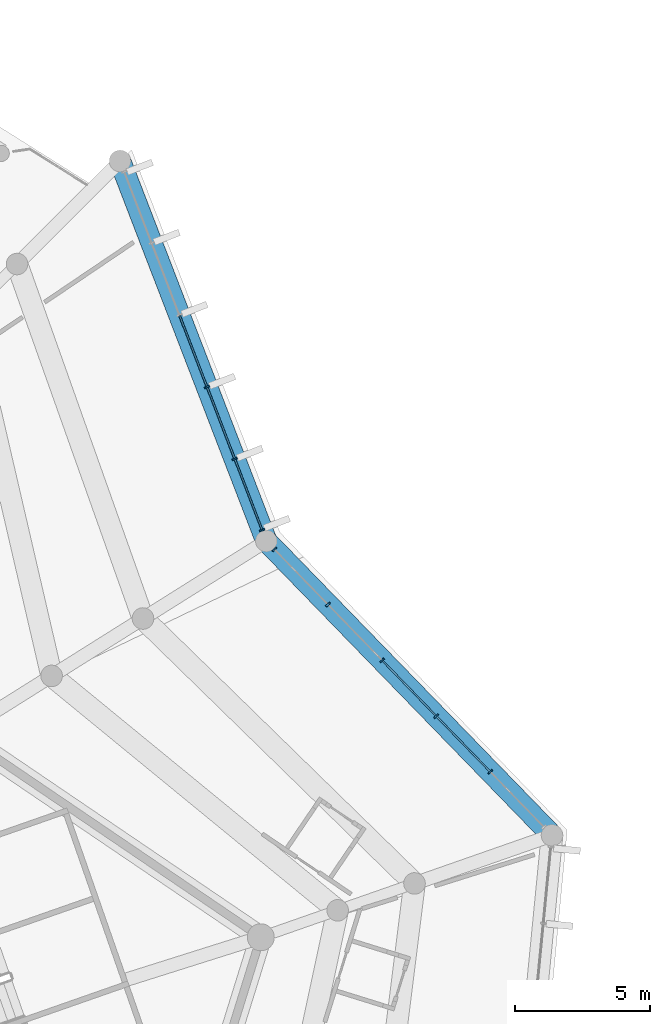
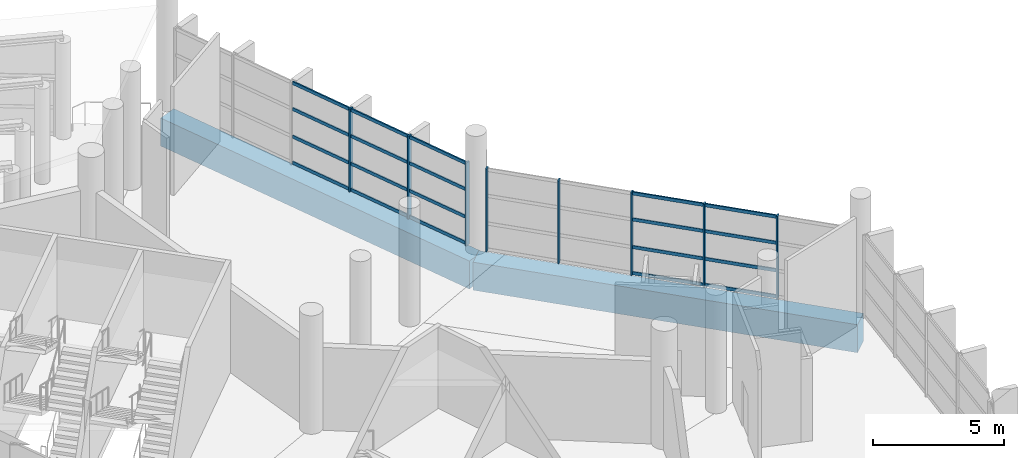
# One storey, part 111 of 271: 28 members, 2 beams, 2 elements without a shape of their own.
"""IFC4 building model written with IfcOpenShell, lengths in metres."""

from ifc_helpers import new_model, si_unit, direction, frame, origin, origin_2d, place, context, subcontext, project, spatial, rectangle, extrude, material, layer, layer_set, material_profile, profile_set, type_object, element, aggregate, save


model = new_model("IFC4")

# Units and contexts
model_context = context("Model", 3, precision=1e-05, world=origin(), true_north=direction((0.0, 1.0)))
body_context = subcontext(model_context, "Body", "Model", "MODEL_VIEW")
ifc_project = project(units=[si_unit("LENGTHUNIT", "METRE"), si_unit("AREAUNIT", "SQUARE_METRE"), si_unit("VOLUMEUNIT", "CUBIC_METRE"), si_unit("PLANEANGLEUNIT", "RADIAN"), si_unit("MASSUNIT", "GRAM", prefix="KILO")], contexts=[model_context])

# Site, building, storey
site_placement = place(None, origin())
site = spatial("IfcSite", under=ifc_project, at=site_placement, CompositionType="ELEMENT")
building_placement = place(site_placement, origin())
building = spatial("IfcBuilding", under=site, at=building_placement, Name="Meseta Stadium", CompositionType="ELEMENT")
storey_placement = place(building_placement, frame((0.0, 0.0, 6.5)))
storey = spatial("IfcBuildingStorey", under=building, at=storey_placement, Name="L01", CompositionType="ELEMENT", Elevation=6.5)

# Beams
ifc_material_1 = material(Name="Concrete C40/50", Category="concrete")
ifc_material_profile_1 = material_profile(ifc_material_1, rectangle(XDim=0.800048828125, YDim=1.300048828125, at=origin_2d()), Name="RC 800x1300")
ifc_profile_set_1 = profile_set([ifc_material_profile_1], Name="Concrete C40/50")
beam_type = type_object("IfcBeamType", Name="RC beam 800x1300", PredefinedType="BEAM", material=ifc_profile_set_1)
beam_1_placement = place(storey_placement, frame((109.0869140625, 72.0751953125, -1.0), z_axis=(-0.696479024719, 0.717577151341, 0.0), x_axis=(-0.717577151341, -0.696479024719, 0.0)))
element("IfcBeam", 1, at=beam_1_placement, inside=storey, type_object=beam_type, Name="L01 ring beam frame 10 line O", PredefinedType="BEAM", context=body_context, shape_type="SweptSolid", body=[
    extrude(rectangle(XDim=0.800048828125, YDim=1.300048828125, at=origin_2d()), origin(), (0.0, 0.0, 1.0), 15.205078125),
])
beam_2_placement = place(storey_placement, frame((98.496826171875, 82.986083984375, -1.0), z_axis=(-0.359293357588, 0.933224669195, 0.0), x_axis=(-0.933224669195, -0.359293357588, 0.0)))
element("IfcBeam", 2, at=beam_2_placement, inside=storey, type_object=beam_type, Name="L01 ring beam frame 11 line O", PredefinedType="BEAM", context=body_context, shape_type="SweptSolid", body=[
    extrude(rectangle(XDim=0.800048828125, YDim=1.300048828125, at=origin_2d()), origin(), (0.0, 0.0, 1.0), 15.09521484375),
])

# Curtain wall, members
ifc_material_2 = material(Name="Aluminium", Category="aluminium")
ifc_layer = layer(ifc_material_2, 0.199951171875)
ifc_layer_set = layer_set([ifc_layer], Name="Ring shopfront curtain wall")
curtain_wall_type = type_object("IfcCurtainWallType", Name="Ring shopfront curtain wall", PredefinedType="NOTDEFINED", material=ifc_layer_set)
curtain_wall_1_placement = place(storey_placement, origin())
curtain_wall_1 = element("IfcCurtainWall", 3, at=curtain_wall_1_placement, inside=storey, type_object=curtain_wall_type, Name="Ring glazing L01 F10", PredefinedType="NOTDEFINED")
ifc_material_3 = material(Name="Aluminium", Category="aluminium")
ifc_material_profile_2 = material_profile(ifc_material_3, rectangle(XDim=0.199951171875, YDim=0.06005859375, at=origin_2d()), Name="CW 200x60")
ifc_profile_set_2 = profile_set([ifc_material_profile_2], Name="Aluminium")
member_type_1 = type_object("IfcMemberType", Name="Ring CW mullion 60x200", PredefinedType="MULLION", material=ifc_profile_set_2)
member_1_placement = place(storey_placement, frame((106.8017578125, 74.429443359375, 0.0), z_axis=(0.0, 0.0, 1.0), x_axis=(-0.717583242683, -0.6964727488, 0.0)))
member_1 = element("IfcMember", 4, at=member_1_placement, type_object=member_type_1, Name="CWR1 mullion 2", PredefinedType="MULLION", context=body_context, shape_type="SweptSolid", body=[
    extrude(rectangle(XDim=0.199951171875, YDim=0.06005859375, at=origin_2d()), origin(), (0.0, 0.0, 1.0), 3.85009765625),
])
member_2_placement = place(storey_placement, frame((104.795166015625, 76.496826171875, 0.0), z_axis=(0.0, 0.0, 1.0), x_axis=(-0.717583242683, -0.6964727488, 0.0)))
member_2 = element("IfcMember", 5, at=member_2_placement, type_object=member_type_1, Name="CWR1 mullion 3", PredefinedType="MULLION", context=body_context, shape_type="SweptSolid", body=[
    extrude(rectangle(XDim=0.199951171875, YDim=0.06005859375, at=origin_2d()), origin(), (0.0, 0.0, 1.0), 3.85009765625),
])
member_3_placement = place(storey_placement, frame((102.78857421875, 78.564208984375, 0.0), z_axis=(0.0, 0.0, 1.0), x_axis=(-0.717583242683, -0.6964727488, 0.0)))
member_3 = element("IfcMember", 6, at=member_3_placement, type_object=member_type_1, Name="CWR1 mullion 4", PredefinedType="MULLION", context=body_context, shape_type="SweptSolid", body=[
    extrude(rectangle(XDim=0.199951171875, YDim=0.06005859375, at=origin_2d()), origin(), (0.0, 0.0, 1.0), 3.85009765625),
])
member_4_placement = place(storey_placement, frame((100.781982421875, 80.631591796875, 0.0), z_axis=(0.0, 0.0, 1.0), x_axis=(-0.717583242683, -0.6964727488, 0.0)))
member_4 = element("IfcMember", 7, at=member_4_placement, type_object=member_type_1, Name="CWR1 mullion 5", PredefinedType="MULLION", context=body_context, shape_type="SweptSolid", body=[
    extrude(rectangle(XDim=0.199951171875, YDim=0.06005859375, at=origin_2d()), origin(), (0.0, 0.0, 1.0), 3.85009765625),
])
member_5_placement = place(storey_placement, frame((98.79638671875, 82.677490234375, 0.0), z_axis=(0.0, 0.0, 1.0), x_axis=(-0.717583242683, -0.6964727488, 0.0)))
member_5 = element("IfcMember", 8, at=member_5_placement, type_object=member_type_1, Name="CWR1 mullion 6", PredefinedType="MULLION", context=body_context, shape_type="SweptSolid", body=[
    extrude(rectangle(XDim=0.199951171875, YDim=0.06005859375, at=origin_2d()), origin(), (0.0, 0.0, 1.0), 3.85009765625),
])

curtain_wall_2_placement = place(storey_placement, origin())
curtain_wall_2 = element("IfcCurtainWall", 9, at=curtain_wall_2_placement, inside=storey, type_object=curtain_wall_type, Name="Ring glazing L01 F11", PredefinedType="NOTDEFINED")
member_6_placement = place(storey_placement, frame((98.342529296875, 83.38720703125, 0.0), z_axis=(0.0, 0.0, 1.0), x_axis=(-0.933221328815, -0.359302033734, 0.0)))
member_6 = element("IfcMember", 10, at=member_6_placement, type_object=member_type_1, Name="CWR1 mullion 1", PredefinedType="MULLION", context=body_context, shape_type="SweptSolid", body=[
    extrude(rectangle(XDim=0.199951171875, YDim=0.06005859375, at=origin_2d()), origin(), (0.0, 0.0, 1.0), 3.85009765625),
])
member_7_placement = place(storey_placement, frame((97.325927734375, 86.02734375, 0.0), z_axis=(0.0, 0.0, 1.0), x_axis=(-0.933221328815, -0.359302033734, 0.0)))
member_7 = element("IfcMember", 11, at=member_7_placement, type_object=member_type_1, Name="CWR1 mullion 2", PredefinedType="MULLION", context=body_context, shape_type="SweptSolid", body=[
    extrude(rectangle(XDim=0.199951171875, YDim=0.06005859375, at=origin_2d()), origin(), (0.0, 0.0, 1.0), 3.85009765625),
])
member_8_placement = place(storey_placement, frame((96.298583984375, 88.695556640625, 0.0), z_axis=(0.0, 0.0, 1.0), x_axis=(-0.933221328815, -0.359302033734, 0.0)))
member_8 = element("IfcMember", 12, at=member_8_placement, type_object=member_type_1, Name="CWR1 mullion 3", PredefinedType="MULLION", context=body_context, shape_type="SweptSolid", body=[
    extrude(rectangle(XDim=0.199951171875, YDim=0.06005859375, at=origin_2d()), origin(), (0.0, 0.0, 1.0), 3.85009765625),
])

# Member
ifc_material_4 = material(Name="Aluminium", Category="aluminium")
ifc_material_profile_3 = material_profile(ifc_material_4, rectangle(XDim=0.06005859375, YDim=0.14990234375, at=origin_2d()), Name="CW 60x150")
ifc_profile_set_3 = profile_set([ifc_material_profile_3], Name="Aluminium")
member_type_2 = type_object("IfcMemberType", Name="Ring CW transom 60x150", PredefinedType="USERDEFINED", material=ifc_profile_set_3)
member_9_placement = place(storey_placement, frame((106.78076171875, 74.450927734375, 0.074951171875), z_axis=(-0.696425568893, 0.717629031597, 0.0), x_axis=(-0.717629031597, -0.696425568893, 0.0)))
member_9 = element("IfcMember", 13, at=member_9_placement, type_object=member_type_2, Name="CWR1 transom 2.1", ObjectType="TRANSOM", PredefinedType="USERDEFINED", context=body_context, shape_type="SweptSolid", body=[
    extrude(rectangle(XDim=0.06005859375, YDim=0.14990234375, at=origin_2d()), origin(), (0.0, 0.0, 1.0), 2.821044921875),
])

member_10_placement = place(storey_placement, frame((106.78076171875, 74.450927734375, 1.283447265625), z_axis=(-0.696425568893, 0.717629031597, 0.0), x_axis=(-0.717629031597, -0.696425568893, 0.0)))
member_10 = element("IfcMember", 14, at=member_10_placement, type_object=member_type_2, Name="CWR1 transom 2.2", ObjectType="TRANSOM", PredefinedType="USERDEFINED", context=body_context, shape_type="SweptSolid", body=[
    extrude(rectangle(XDim=0.06005859375, YDim=0.14990234375, at=origin_2d()), origin(), (0.0, 0.0, 1.0), 2.821044921875),
])

member_11_placement = place(storey_placement, frame((106.78076171875, 74.450927734375, 2.566650390625), z_axis=(-0.696425568893, 0.717629031597, 0.0), x_axis=(-0.717629031597, -0.696425568893, 0.0)))
member_11 = element("IfcMember", 15, at=member_11_placement, type_object=member_type_2, Name="CWR1 transom 2.3", ObjectType="TRANSOM", PredefinedType="USERDEFINED", context=body_context, shape_type="SweptSolid", body=[
    extrude(rectangle(XDim=0.06005859375, YDim=0.14990234375, at=origin_2d()), origin(), (0.0, 0.0, 1.0), 2.821044921875),
])

member_12_placement = place(storey_placement, frame((106.78076171875, 74.450927734375, 3.77490234375), z_axis=(-0.696425568893, 0.717629031597, 0.0), x_axis=(-0.717629031597, -0.696425568893, 0.0)))
member_12 = element("IfcMember", 16, at=member_12_placement, type_object=member_type_2, Name="CWR1 transom 2.4", ObjectType="TRANSOM", PredefinedType="USERDEFINED", context=body_context, shape_type="SweptSolid", body=[
    extrude(rectangle(XDim=0.06005859375, YDim=0.14990234375, at=origin_2d()), origin(), (0.0, 0.0, 1.0), 2.821044921875),
])

member_13_placement = place(storey_placement, frame((104.774169921875, 76.518310546875, 0.074951171875), z_axis=(-0.696425568893, 0.717629031597, 0.0), x_axis=(-0.717629031597, -0.696425568893, 0.0)))
member_13 = element("IfcMember", 17, at=member_13_placement, type_object=member_type_2, Name="CWR1 transom 3.1", ObjectType="TRANSOM", PredefinedType="USERDEFINED", context=body_context, shape_type="SweptSolid", body=[
    extrude(rectangle(XDim=0.06005859375, YDim=0.14990234375, at=origin_2d()), origin(), (0.0, 0.0, 1.0), 2.821044921875),
])

member_14_placement = place(storey_placement, frame((104.774169921875, 76.518310546875, 1.283447265625), z_axis=(-0.696425568893, 0.717629031597, 0.0), x_axis=(-0.717629031597, -0.696425568893, 0.0)))
member_14 = element("IfcMember", 18, at=member_14_placement, type_object=member_type_2, Name="CWR1 transom 3.2", ObjectType="TRANSOM", PredefinedType="USERDEFINED", context=body_context, shape_type="SweptSolid", body=[
    extrude(rectangle(XDim=0.06005859375, YDim=0.14990234375, at=origin_2d()), origin(), (0.0, 0.0, 1.0), 2.821044921875),
])

member_15_placement = place(storey_placement, frame((104.774169921875, 76.518310546875, 2.566650390625), z_axis=(-0.696425568893, 0.717629031597, 0.0), x_axis=(-0.717629031597, -0.696425568893, 0.0)))
member_15 = element("IfcMember", 19, at=member_15_placement, type_object=member_type_2, Name="CWR1 transom 3.3", ObjectType="TRANSOM", PredefinedType="USERDEFINED", context=body_context, shape_type="SweptSolid", body=[
    extrude(rectangle(XDim=0.06005859375, YDim=0.14990234375, at=origin_2d()), origin(), (0.0, 0.0, 1.0), 2.821044921875),
])

member_16_placement = place(storey_placement, frame((104.774169921875, 76.518310546875, 3.77490234375), z_axis=(-0.696425568893, 0.717629031597, 0.0), x_axis=(-0.717629031597, -0.696425568893, 0.0)))
member_16 = element("IfcMember", 20, at=member_16_placement, type_object=member_type_2, Name="CWR1 transom 3.4", ObjectType="TRANSOM", PredefinedType="USERDEFINED", context=body_context, shape_type="SweptSolid", body=[
    extrude(rectangle(XDim=0.06005859375, YDim=0.14990234375, at=origin_2d()), origin(), (0.0, 0.0, 1.0), 2.821044921875),
])

aggregate(curtain_wall_1, [member_1, member_2, member_3, member_4, member_5, member_9, member_10, member_11, member_12, member_13, member_14, member_15, member_16])

member_17_placement = place(storey_placement, frame((98.33154296875, 83.415283203125, 0.074951171875), z_axis=(-0.359274461241, 0.933231944106, 0.0), x_axis=(-0.933231944106, -0.359274461241, 0.0)))
member_17 = element("IfcMember", 21, at=member_17_placement, type_object=member_type_2, Name="CWR1 transom 1.1", ObjectType="TRANSOM", PredefinedType="USERDEFINED", context=body_context, shape_type="SweptSolid", body=[
    extrude(rectangle(XDim=0.06005859375, YDim=0.14990234375, at=origin_2d()), origin(), (0.0, 0.0, 1.0), 2.76904296875),
])

member_18_placement = place(storey_placement, frame((98.33154296875, 83.415283203125, 1.283447265625), z_axis=(-0.359274461241, 0.933231944106, 0.0), x_axis=(-0.933231944106, -0.359274461241, 0.0)))
member_18 = element("IfcMember", 22, at=member_18_placement, type_object=member_type_2, Name="CWR1 transom 1.2", ObjectType="TRANSOM", PredefinedType="USERDEFINED", context=body_context, shape_type="SweptSolid", body=[
    extrude(rectangle(XDim=0.06005859375, YDim=0.14990234375, at=origin_2d()), origin(), (0.0, 0.0, 1.0), 2.76904296875),
])

member_19_placement = place(storey_placement, frame((98.33154296875, 83.415283203125, 2.566650390625), z_axis=(-0.359274461241, 0.933231944106, 0.0), x_axis=(-0.933231944106, -0.359274461241, 0.0)))
member_19 = element("IfcMember", 23, at=member_19_placement, type_object=member_type_2, Name="CWR1 transom 1.3", ObjectType="TRANSOM", PredefinedType="USERDEFINED", context=body_context, shape_type="SweptSolid", body=[
    extrude(rectangle(XDim=0.06005859375, YDim=0.14990234375, at=origin_2d()), origin(), (0.0, 0.0, 1.0), 2.76904296875),
])

member_20_placement = place(storey_placement, frame((98.33154296875, 83.415283203125, 3.77490234375), z_axis=(-0.359274461241, 0.933231944106, 0.0), x_axis=(-0.933231944106, -0.359274461241, 0.0)))
member_20 = element("IfcMember", 24, at=member_20_placement, type_object=member_type_2, Name="CWR1 transom 1.4", ObjectType="TRANSOM", PredefinedType="USERDEFINED", context=body_context, shape_type="SweptSolid", body=[
    extrude(rectangle(XDim=0.06005859375, YDim=0.14990234375, at=origin_2d()), origin(), (0.0, 0.0, 1.0), 2.76904296875),
])

member_21_placement = place(storey_placement, frame((97.315185546875, 86.055419921875, 0.074951171875), z_axis=(-0.359283001664, 0.93322865618, 0.0), x_axis=(-0.93322865618, -0.359283001664, 0.0)))
member_21 = element("IfcMember", 25, at=member_21_placement, type_object=member_type_2, Name="CWR1 transom 2.1", ObjectType="TRANSOM", PredefinedType="USERDEFINED", context=body_context, shape_type="SweptSolid", body=[
    extrude(rectangle(XDim=0.06005859375, YDim=0.14990234375, at=origin_2d()), origin(), (0.0, 0.0, 1.0), 2.799072265625),
])

member_22_placement = place(storey_placement, frame((97.315185546875, 86.055419921875, 1.283447265625), z_axis=(-0.359283001664, 0.93322865618, 0.0), x_axis=(-0.93322865618, -0.359283001664, 0.0)))
member_22 = element("IfcMember", 26, at=member_22_placement, type_object=member_type_2, Name="CWR1 transom 2.2", ObjectType="TRANSOM", PredefinedType="USERDEFINED", context=body_context, shape_type="SweptSolid", body=[
    extrude(rectangle(XDim=0.06005859375, YDim=0.14990234375, at=origin_2d()), origin(), (0.0, 0.0, 1.0), 2.799072265625),
])

member_23_placement = place(storey_placement, frame((97.315185546875, 86.055419921875, 2.566650390625), z_axis=(-0.359283001664, 0.93322865618, 0.0), x_axis=(-0.93322865618, -0.359283001664, 0.0)))
member_23 = element("IfcMember", 27, at=member_23_placement, type_object=member_type_2, Name="CWR1 transom 2.3", ObjectType="TRANSOM", PredefinedType="USERDEFINED", context=body_context, shape_type="SweptSolid", body=[
    extrude(rectangle(XDim=0.06005859375, YDim=0.14990234375, at=origin_2d()), origin(), (0.0, 0.0, 1.0), 2.799072265625),
])

member_24_placement = place(storey_placement, frame((97.315185546875, 86.055419921875, 3.77490234375), z_axis=(-0.359283001664, 0.93322865618, 0.0), x_axis=(-0.93322865618, -0.359283001664, 0.0)))
member_24 = element("IfcMember", 28, at=member_24_placement, type_object=member_type_2, Name="CWR1 transom 2.4", ObjectType="TRANSOM", PredefinedType="USERDEFINED", context=body_context, shape_type="SweptSolid", body=[
    extrude(rectangle(XDim=0.06005859375, YDim=0.14990234375, at=origin_2d()), origin(), (0.0, 0.0, 1.0), 2.799072265625),
])

member_25_placement = place(storey_placement, frame((96.287841796875, 88.7236328125, 0.074951171875), z_axis=(-0.359283001664, 0.93322865618, 0.0), x_axis=(-0.93322865618, -0.359283001664, 0.0)))
member_25 = element("IfcMember", 29, at=member_25_placement, type_object=member_type_2, Name="CWR1 transom 3.1", ObjectType="TRANSOM", PredefinedType="USERDEFINED", context=body_context, shape_type="SweptSolid", body=[
    extrude(rectangle(XDim=0.06005859375, YDim=0.14990234375, at=origin_2d()), origin(), (0.0, 0.0, 1.0), 2.799072265625),
])

member_26_placement = place(storey_placement, frame((96.287841796875, 88.7236328125, 1.283447265625), z_axis=(-0.359283001664, 0.93322865618, 0.0), x_axis=(-0.93322865618, -0.359283001664, 0.0)))
member_26 = element("IfcMember", 30, at=member_26_placement, type_object=member_type_2, Name="CWR1 transom 3.2", ObjectType="TRANSOM", PredefinedType="USERDEFINED", context=body_context, shape_type="SweptSolid", body=[
    extrude(rectangle(XDim=0.06005859375, YDim=0.14990234375, at=origin_2d()), origin(), (0.0, 0.0, 1.0), 2.799072265625),
])

member_27_placement = place(storey_placement, frame((96.287841796875, 88.7236328125, 2.566650390625), z_axis=(-0.359283001664, 0.93322865618, 0.0), x_axis=(-0.93322865618, -0.359283001664, 0.0)))
member_27 = element("IfcMember", 31, at=member_27_placement, type_object=member_type_2, Name="CWR1 transom 3.3", ObjectType="TRANSOM", PredefinedType="USERDEFINED", context=body_context, shape_type="SweptSolid", body=[
    extrude(rectangle(XDim=0.06005859375, YDim=0.14990234375, at=origin_2d()), origin(), (0.0, 0.0, 1.0), 2.799072265625),
])

member_28_placement = place(storey_placement, frame((96.287841796875, 88.7236328125, 3.77490234375), z_axis=(-0.359283001664, 0.93322865618, 0.0), x_axis=(-0.93322865618, -0.359283001664, 0.0)))
member_28 = element("IfcMember", 32, at=member_28_placement, type_object=member_type_2, Name="CWR1 transom 3.4", ObjectType="TRANSOM", PredefinedType="USERDEFINED", context=body_context, shape_type="SweptSolid", body=[
    extrude(rectangle(XDim=0.06005859375, YDim=0.14990234375, at=origin_2d()), origin(), (0.0, 0.0, 1.0), 2.799072265625),
])

aggregate(curtain_wall_2, [member_6, member_7, member_8, member_17, member_18, member_19, member_20, member_21, member_22, member_23, member_24, member_25, member_26, member_27, member_28])

save(model, "model.ifc")
